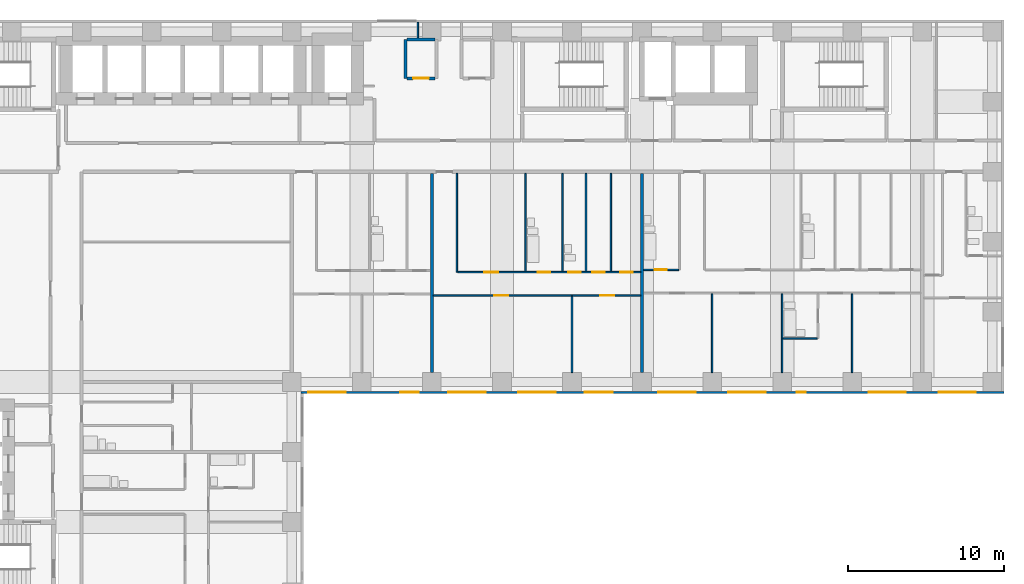
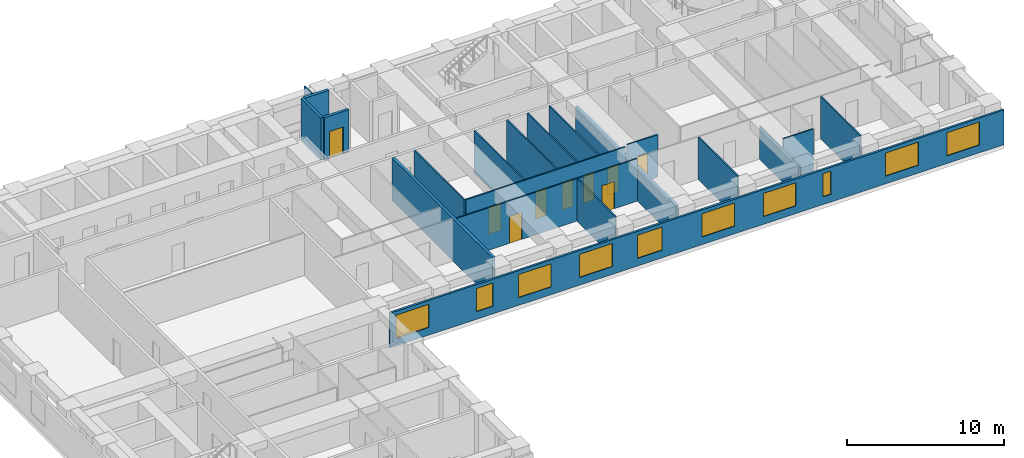
# One storey, part 6 of 11: 20 walls, 10 windows, 9 doors, 19 openings.
"""IFC4 building model written with IfcOpenShell, lengths in metres."""

from ifc_helpers import new_model, si_unit, direction, frame, frame_2d, origin, place, context, subcontext, project, spatial, rectangle, extrude, material, layer, layer_set, type_object, element, fill, save


model = new_model("IFC4")

# Units and contexts
model_context = context("Model", 3, precision=1e-05, world=origin(), true_north=direction((0.0, 1.0)))
body_context = subcontext(model_context, "Body", "Model", "MODEL_VIEW")
ifc_project = project(units=[si_unit("LENGTHUNIT", "METRE"), si_unit("AREAUNIT", "SQUARE_METRE"), si_unit("VOLUMEUNIT", "CUBIC_METRE"), si_unit("PLANEANGLEUNIT", "RADIAN"), si_unit("MASSUNIT", "GRAM", prefix="KILO")], contexts=[model_context])

# Site, building, storey
site_placement = place(None, origin())
site = spatial("IfcSite", under=ifc_project, at=site_placement, CompositionType="ELEMENT")
building_placement = place(site_placement, origin())
building = spatial("IfcBuilding", under=site, at=building_placement, Name="Firuza Court", CompositionType="ELEMENT")
storey_placement = place(building_placement, frame((0.0, 0.0, 83.0)))
storey = spatial("IfcBuildingStorey", under=building, at=storey_placement, Name="L20", CompositionType="ELEMENT", Elevation=83.0)

# Walls
ifc_material_1 = material(Name="Moisture-resistant gypsum board partition")
ifc_layer_1 = layer(ifc_material_1, 0.10009765625)
ifc_layer_set_1 = layer_set([ifc_layer_1], Name="Moisture-resistant gypsum board partition")
wall_type_1 = type_object("IfcWallType", Name="Bathroom partition 100", PredefinedType="PLUMBINGWALL", material=ifc_layer_set_1)
wall_1_placement = place(storey_placement, frame((54.050048828125, 38.800048828125, 0.0), z_axis=(0.0, 0.0, 1.0), x_axis=(1.0, 0.0, 0.0)))
element("IfcWall", 1, at=wall_1_placement, inside=storey, type_object=wall_type_1, Name="Bathroom partition 100 L20", PredefinedType="PLUMBINGWALL", context=body_context, shape_type="SweptSolid", body=[
    extrude(rectangle(XDim=2.199951171875, YDim=0.10009765625, at=frame_2d((1.10009765625, 0.0))), origin(), (0.0, 0.0, 1.0), 3.300048828125),
])
for number, where, z_axis, x_axis, name in (
    (2, (37.5, 43.10009765625, 0.0), (0.0, 0.0, 1.0), (0.0, 1.0, 0.0), "Bathroom partition 100 L20"),
    (3, (39.89990234375, 43.10009765625, 0.0), (0.0, 0.0, 1.0), (0.0, 1.0, 0.0), "Bathroom partition 100 L20"),
    (4, (41.39990234375, 43.10009765625, 0.0), (0.0, 0.0, 1.0), (0.0, 1.0, 0.0), "Bathroom partition 100 L20"),
):
    element("IfcWall", number, at=place(storey_placement, frame(where, z_axis=z_axis, x_axis=x_axis)), inside=storey, type_object=wall_type_1, Name=name, PredefinedType="PLUMBINGWALL", context=body_context, shape_type="SweptSolid", body=[
        extrude(rectangle(XDim=6.2998046875, YDim=0.10009765625, at=frame_2d((3.14990234375, 0.0))), origin(), (0.0, 0.0, 1.0), 3.300048828125),
    ])
ifc_material_2 = material(Name="Timber stud partition, plasterboard both sides", Category="wood")
ifc_layer_2 = layer(ifc_material_2, 0.10009765625)
ifc_layer_set_2 = layer_set([ifc_layer_2], Name="Timber stud partition, plasterboard both sides")
wall_type_2 = type_object("IfcWallType", Name="Partition wall 100", PredefinedType="PARTITIONING", material=ifc_layer_set_2)
wall_2_placement = place(storey_placement, frame((40.5, 36.60009765625, 0.0), z_axis=(0.0, 0.0, 1.0), x_axis=(0.0, 1.0, 0.0)))
element("IfcWall", 5, at=wall_2_placement, inside=storey, type_object=wall_type_2, Name="Partition wall 100 L20", PredefinedType="PARTITIONING", context=body_context, shape_type="SweptSolid", body=[
    extrude(rectangle(XDim=4.89990234375, YDim=0.10009765625, at=frame_2d((2.449951171875, 0.0))), origin(), (0.0, 0.0, 1.0), 3.300048828125),
])
wall_3_placement = place(storey_placement, frame((49.5, 36.60009765625, 0.0), z_axis=(0.0, 0.0, 1.0), x_axis=(0.0, 1.0, 0.0)))
element("IfcWall", 6, at=wall_3_placement, inside=storey, type_object=wall_type_2, Name="Partition wall 100 L20", PredefinedType="PARTITIONING", context=body_context, shape_type="SweptSolid", body=[
    extrude(rectangle(XDim=5.0498046875, YDim=0.10009765625, at=frame_2d((2.52490234375, 0.0))), origin(), (0.0, 0.0, 1.0), 3.300048828125),
])
wall_4_placement = place(storey_placement, frame((54.0, 36.60009765625, 0.0), z_axis=(0.0, 0.0, 1.0), x_axis=(0.0, 1.0, 0.0)))
element("IfcWall", 7, at=wall_4_placement, inside=storey, type_object=wall_type_2, Name="Partition wall 100 L20", PredefinedType="PARTITIONING", context=body_context, shape_type="SweptSolid", body=[
    extrude(rectangle(XDim=5.0498046875, YDim=0.10009765625, at=frame_2d((2.52490234375, 0.0))), origin(), (0.0, 0.0, 1.0), 2.60009765625),
])
wall_5_placement = place(storey_placement, frame((58.5, 36.60009765625, 0.0), z_axis=(0.0, 0.0, 1.0), x_axis=(0.0, 1.0, 0.0)))
element("IfcWall", 8, at=wall_5_placement, inside=storey, type_object=wall_type_2, Name="Partition wall 100 L20", PredefinedType="PARTITIONING", context=body_context, shape_type="SweptSolid", body=[
    extrude(rectangle(XDim=5.0498046875, YDim=0.10009765625, at=frame_2d((2.52490234375, 0.0))), origin(), (0.0, 0.0, 1.0), 3.300048828125),
])

# Wall, openings, doors
wall_6_placement = place(storey_placement, frame((31.60009765625, 41.550048828125, 0.0), z_axis=(0.0, 0.0, 1.0), x_axis=(1.0, 0.0, 0.0)))
wall_6 = element("IfcWall", 9, at=wall_6_placement, inside=storey, type_object=wall_type_2, Name="Partition wall 100 L20", PredefinedType="PARTITIONING", context=body_context, shape_type="SweptSolid", body=[
    extrude(rectangle(XDim=13.2998046875, YDim=0.10009765625, at=frame_2d((6.64990234375, 0.0))), origin(), (0.0, 0.0, 1.0), 3.300048828125),
])
opening_1_placement = place(wall_6_placement, frame((3.89990234375, 0.0, 0.0)))
opening_1 = element("IfcOpeningElement", 10, at=opening_1_placement, cuts=wall_6, Name="Opening D20044", PredefinedType="OPENING", context=body_context, shape_type="SweptSolid", body=[
    extrude(rectangle(XDim=0.89990234375, YDim=2.10009765625, at=frame_2d((0.449951171875, 1.050048828125))), frame((0.0, 0.06201171875, 0.0), z_axis=(0.0, -1.0, 0.0), x_axis=(1.0, 0.0, 0.0)), (0.0, 0.0, 1.0), 0.1240234375),
])
opening_2_placement = place(wall_6_placement, frame((10.699951171875, 0.0, 0.0)))
opening_2 = element("IfcOpeningElement", 11, at=opening_2_placement, cuts=wall_6, Name="Opening D20045", PredefinedType="OPENING", context=body_context, shape_type="SweptSolid", body=[
    extrude(rectangle(XDim=0.89990234375, YDim=2.10009765625, at=frame_2d((0.449951171875, 1.050048828125))), frame((0.0, 0.06201171875, 0.0), z_axis=(0.0, -1.0, 0.0), x_axis=(1.0, 0.0, 0.0)), (0.0, 0.0, 1.0), 0.1240234375),
])
ifc_material_3 = material(Name="Timber door leaf in hardwood frame", Category="wood")
door_type_1 = type_object("IfcDoorType", Name="Room door 900", OperationType="SINGLE_SWING_LEFT", PredefinedType="DOOR", material=ifc_material_3)
door_1_placement = place(opening_1_placement, frame((0.89990234375, 0.0, 0.0), z_axis=(0.0, 0.0, 1.0), x_axis=(-1.0, 0.0, 0.0)))
door_1 = element("IfcDoor", 12, at=door_1_placement, inside=storey, type_object=door_type_1, Name="Living room door", OperationType="SINGLE_SWING_RIGHT", OverallHeight=2.10009765625, OverallWidth=0.89990234375, PredefinedType="DOOR", context=body_context, shape_type="SweptSolid", body=[
    extrude(rectangle(XDim=0.89990234375, YDim=2.10009765625, at=frame_2d((0.449951171875, 1.050048828125))), frame((0.0, 0.02490234375, 0.0), z_axis=(0.0, -1.0, 0.0), x_axis=(1.0, 0.0, 0.0)), (0.0, 0.0, 1.0), 0.050048828125),
])
fill(opening_1, door_1)
door_2_placement = place(opening_2_placement, frame((0.89990234375, 0.0, 0.0), z_axis=(0.0, 0.0, 1.0), x_axis=(-1.0, 0.0, 0.0)))
door_2 = element("IfcDoor", 13, at=door_2_placement, inside=storey, type_object=door_type_1, Name="Bedroom door", OperationType="SINGLE_SWING_RIGHT", OverallHeight=2.10009765625, OverallWidth=0.89990234375, PredefinedType="DOOR", context=body_context, shape_type="SweptSolid", body=[
    extrude(rectangle(XDim=0.89990234375, YDim=2.10009765625, at=frame_2d((0.449951171875, 1.050048828125))), frame((0.0, 0.02490234375, 0.0), z_axis=(0.0, -1.0, 0.0), x_axis=(1.0, 0.0, 0.0)), (0.0, 0.0, 1.0), 0.050048828125),
])
fill(opening_2, door_2)

# Wall
wall_7_placement = place(storey_placement, frame((33.10009765625, 43.050048828125, 0.0), z_axis=(0.0, 0.0, 1.0), x_axis=(0.0, 1.0, 0.0)))
element("IfcWall", 14, at=wall_7_placement, inside=storey, type_object=wall_type_2, Name="Partition wall 100 L20", PredefinedType="PARTITIONING", context=body_context, shape_type="SweptSolid", body=[
    extrude(rectangle(XDim=6.349853515625, YDim=0.10009765625, at=frame_2d((3.1748046875, 0.0))), origin(), (0.0, 0.0, 1.0), 3.300048828125),
])

# Wall, openings, doors
wall_8_placement = place(storey_placement, frame((33.14990234375, 43.050048828125, 0.0), z_axis=(0.0, 0.0, 1.0), x_axis=(1.0, 0.0, 0.0)))
wall_8 = element("IfcWall", 15, at=wall_8_placement, inside=storey, type_object=wall_type_2, Name="Partition wall 100 L20", PredefinedType="PARTITIONING", context=body_context, shape_type="SweptSolid", body=[
    extrude(rectangle(XDim=11.75, YDim=0.10009765625, at=frame_2d((5.875, 0.0))), origin(), (0.0, 0.0, 1.0), 3.300048828125),
])
opening_3_placement = place(wall_8_placement, frame((5.14990234375, 0.0, 0.0)))
opening_3 = element("IfcOpeningElement", 16, at=opening_3_placement, cuts=wall_8, Name="Opening D20053", PredefinedType="OPENING", context=body_context, shape_type="SweptSolid", body=[
    extrude(rectangle(XDim=0.800048828125, YDim=2.10009765625, at=frame_2d((0.39990234375, 1.050048828125))), frame((0.0, 0.06201171875, 0.0), z_axis=(0.0, -1.0, 0.0), x_axis=(1.0, 0.0, 0.0)), (0.0, 0.0, 1.0), 0.1240234375),
])
opening_4_placement = place(wall_8_placement, frame((1.699951171875, 0.0, 0.0)))
opening_4 = element("IfcOpeningElement", 17, at=opening_4_placement, cuts=wall_8, Name="Opening D20054", PredefinedType="OPENING", context=body_context, shape_type="SweptSolid", body=[
    extrude(rectangle(XDim=0.89990234375, YDim=2.10009765625, at=frame_2d((0.449951171875, 1.050048828125))), frame((0.0, 0.06201171875, 0.0), z_axis=(0.0, -1.0, 0.0), x_axis=(1.0, 0.0, 0.0)), (0.0, 0.0, 1.0), 0.1240234375),
])
opening_5_placement = place(wall_8_placement, frame((8.64990234375, 0.0, 0.0)))
opening_5 = element("IfcOpeningElement", 18, at=opening_5_placement, cuts=wall_8, Name="Opening D20055", PredefinedType="OPENING", context=body_context, shape_type="SweptSolid", body=[
    extrude(rectangle(XDim=0.800048828125, YDim=2.10009765625, at=frame_2d((0.39990234375, 1.050048828125))), frame((0.0, 0.06201171875, 0.0), z_axis=(0.0, -1.0, 0.0), x_axis=(1.0, 0.0, 0.0)), (0.0, 0.0, 1.0), 0.1240234375),
])
opening_6_placement = place(wall_8_placement, frame((10.449951171875, 0.0, 0.0)))
opening_6 = element("IfcOpeningElement", 19, at=opening_6_placement, cuts=wall_8, Name="Opening D20056", PredefinedType="OPENING", context=body_context, shape_type="SweptSolid", body=[
    extrude(rectangle(XDim=0.800048828125, YDim=2.10009765625, at=frame_2d((0.39990234375, 1.050048828125))), frame((0.0, 0.06201171875, 0.0), z_axis=(0.0, -1.0, 0.0), x_axis=(1.0, 0.0, 0.0)), (0.0, 0.0, 1.0), 0.1240234375),
])
opening_7_placement = place(wall_8_placement, frame((7.10009765625, 0.0, 0.0)))
opening_7 = element("IfcOpeningElement", 20, at=opening_7_placement, cuts=wall_8, Name="Opening D20057", PredefinedType="OPENING", context=body_context, shape_type="SweptSolid", body=[
    extrude(rectangle(XDim=0.800048828125, YDim=2.10009765625, at=frame_2d((0.39990234375, 1.050048828125))), frame((0.0, 0.06201171875, 0.0), z_axis=(0.0, -1.0, 0.0), x_axis=(1.0, 0.0, 0.0)), (0.0, 0.0, 1.0), 0.1240234375),
])
ifc_material_4 = material(Name="Timber door leaf in hardwood frame", Category="wood")
door_type_2 = type_object("IfcDoorType", Name="Bathroom door 800", OperationType="SINGLE_SWING_LEFT", PredefinedType="DOOR", material=ifc_material_4)
door_3_placement = place(opening_3_placement, origin())
door_3 = element("IfcDoor", 21, at=door_3_placement, inside=storey, type_object=door_type_2, Name="Bathroom door", OperationType="SINGLE_SWING_LEFT", OverallHeight=2.10009765625, OverallWidth=0.800048828125, PredefinedType="DOOR", context=body_context, shape_type="SweptSolid", body=[
    extrude(rectangle(XDim=0.800048828125, YDim=2.10009765625, at=frame_2d((0.39990234375, 1.050048828125))), frame((0.0, 0.02490234375, 0.0), z_axis=(0.0, -1.0, 0.0), x_axis=(1.0, 0.0, 0.0)), (0.0, 0.0, 1.0), 0.050048828125),
])
fill(opening_3, door_3)
door_4_placement = place(opening_7_placement, origin())
door_4 = element("IfcDoor", 22, at=door_4_placement, inside=storey, type_object=door_type_2, Name="Powder room door", OperationType="SINGLE_SWING_LEFT", OverallHeight=2.10009765625, OverallWidth=0.800048828125, PredefinedType="DOOR", context=body_context, shape_type="SweptSolid", body=[
    extrude(rectangle(XDim=0.800048828125, YDim=2.10009765625, at=frame_2d((0.39990234375, 1.050048828125))), frame((0.0, 0.02490234375, 0.0), z_axis=(0.0, -1.0, 0.0), x_axis=(1.0, 0.0, 0.0)), (0.0, 0.0, 1.0), 0.050048828125),
])
fill(opening_7, door_4)
ifc_material_5 = material(Name="Timber door leaf in hardwood frame", Category="wood")
door_type_3 = type_object("IfcDoorType", Name="Room door 800", OperationType="SINGLE_SWING_LEFT", PredefinedType="DOOR", material=ifc_material_5)
door_5_placement = place(opening_5_placement, origin())
door_5 = element("IfcDoor", 23, at=door_5_placement, inside=storey, type_object=door_type_3, Name="Store door", OperationType="SINGLE_SWING_LEFT", OverallHeight=2.10009765625, OverallWidth=0.800048828125, PredefinedType="DOOR", context=body_context, shape_type="SweptSolid", body=[
    extrude(rectangle(XDim=0.800048828125, YDim=2.10009765625, at=frame_2d((0.39990234375, 1.050048828125))), frame((0.0, 0.02490234375, 0.0), z_axis=(0.0, -1.0, 0.0), x_axis=(1.0, 0.0, 0.0)), (0.0, 0.0, 1.0), 0.050048828125),
])
fill(opening_5, door_5)
door_6_placement = place(opening_6_placement, origin())
door_6 = element("IfcDoor", 24, at=door_6_placement, inside=storey, type_object=door_type_3, Name="Utility room door", OperationType="SINGLE_SWING_LEFT", OverallHeight=2.10009765625, OverallWidth=0.800048828125, PredefinedType="DOOR", context=body_context, shape_type="SweptSolid", body=[
    extrude(rectangle(XDim=0.800048828125, YDim=2.10009765625, at=frame_2d((0.39990234375, 1.050048828125))), frame((0.0, 0.02490234375, 0.0), z_axis=(0.0, -1.0, 0.0), x_axis=(1.0, 0.0, 0.0)), (0.0, 0.0, 1.0), 0.050048828125),
])
fill(opening_6, door_6)
door_7_placement = place(opening_4_placement, origin())
door_7 = element("IfcDoor", 25, at=door_7_placement, inside=storey, type_object=door_type_1, Name="Kitchen door", OperationType="SINGLE_SWING_LEFT", OverallHeight=2.10009765625, OverallWidth=0.89990234375, PredefinedType="DOOR", context=body_context, shape_type="SweptSolid", body=[
    extrude(rectangle(XDim=0.89990234375, YDim=2.10009765625, at=frame_2d((0.449951171875, 1.050048828125))), frame((0.0, 0.02490234375, 0.0), z_axis=(0.0, -1.0, 0.0), x_axis=(1.0, 0.0, 0.0)), (0.0, 0.0, 1.0), 0.050048828125),
])
fill(opening_4, door_7)

# Wall
wall_9_placement = place(storey_placement, frame((43.0, 43.10009765625, 0.0), z_axis=(0.0, 0.0, 1.0), x_axis=(0.0, 1.0, 0.0)))
element("IfcWall", 26, at=wall_9_placement, inside=storey, type_object=wall_type_2, Name="Partition wall 100 L20", PredefinedType="PARTITIONING", context=body_context, shape_type="SweptSolid", body=[
    extrude(rectangle(XDim=6.2998046875, YDim=0.10009765625, at=frame_2d((3.14990234375, 0.0))), origin(), (0.0, 0.0, 1.0), 3.300048828125),
])

# Wall, opening, door
wall_10_placement = place(storey_placement, frame((45.10009765625, 43.199951171875, 0.0), z_axis=(0.0, 0.0, 1.0), x_axis=(1.0, 0.0, 0.0)))
wall_10 = element("IfcWall", 27, at=wall_10_placement, inside=storey, type_object=wall_type_2, Name="Partition wall 100 L20", PredefinedType="PARTITIONING", context=body_context, shape_type="SweptSolid", body=[
    extrude(rectangle(XDim=2.25, YDim=0.10009765625, at=frame_2d((1.125, 0.0))), origin(), (0.0, 0.0, 1.0), 3.300048828125),
])
opening_8_placement = place(wall_10_placement, frame((0.699951171875, 0.0, 0.0)))
opening_8 = element("IfcOpeningElement", 28, at=opening_8_placement, cuts=wall_10, Name="Opening D20061", PredefinedType="OPENING", context=body_context, shape_type="SweptSolid", body=[
    extrude(rectangle(XDim=0.800048828125, YDim=2.10009765625, at=frame_2d((0.39990234375, 1.050048828125))), frame((0.0, 0.06201171875, 0.0), z_axis=(0.0, -1.0, 0.0), x_axis=(1.0, 0.0, 0.0)), (0.0, 0.0, 1.0), 0.1240234375),
])
door_8_placement = place(opening_8_placement, origin())
door_8 = element("IfcDoor", 29, at=door_8_placement, inside=storey, type_object=door_type_2, Name="Bathroom door", OperationType="SINGLE_SWING_LEFT", OverallHeight=2.10009765625, OverallWidth=0.800048828125, PredefinedType="DOOR", context=body_context, shape_type="SweptSolid", body=[
    extrude(rectangle(XDim=0.800048828125, YDim=2.10009765625, at=frame_2d((0.39990234375, 1.050048828125))), frame((0.0, 0.02490234375, 0.0), z_axis=(0.0, -1.0, 0.0), x_axis=(1.0, 0.0, 0.0)), (0.0, 0.0, 1.0), 0.050048828125),
])
fill(opening_8, door_8)

# Walls
wall_11_placement = place(storey_placement, frame((30.60009765625, 58.10009765625, 0.0), z_axis=(0.0, 0.0, 1.0), x_axis=(0.0, 1.0, 0.0)))
element("IfcWall", 30, at=wall_11_placement, inside=storey, type_object=wall_type_2, Name="Partition wall 100 L20", PredefinedType="PARTITIONING", context=body_context, shape_type="SweptSolid", body=[
    extrude(rectangle(XDim=1.0, YDim=0.10009765625, at=frame_2d((0.5, 0.0))), origin(), (0.0, 0.0, 1.0), 3.300048828125),
])
ifc_material_6 = material(Name="Blockwork, plastered both sides", Category="masonry")
ifc_layer_3 = layer(ifc_material_6, 0.199951171875)
ifc_layer_set_3 = layer_set([ifc_layer_3], Name="Blockwork, plastered both sides")
wall_type_3 = type_object("IfcWallType", Name="Party wall 200", PredefinedType="PARTITIONING", material=ifc_layer_set_3)
wall_12_placement = place(storey_placement, frame((31.5, 36.60009765625, 0.0), z_axis=(0.0, 0.0, 1.0), x_axis=(0.0, 1.0, 0.0)))
element("IfcWall", 31, at=wall_12_placement, inside=storey, type_object=wall_type_3, Name="Party wall 200 L20", PredefinedType="PARTITIONING", context=body_context, shape_type="SweptSolid", body=[
    extrude(rectangle(XDim=12.7998046875, YDim=0.199951171875, at=frame_2d((6.39990234375, 0.0))), origin(), (0.0, 0.0, 1.0), 3.300048828125),
])
wall_13_placement = place(storey_placement, frame((45.0, 36.60009765625, 0.0), z_axis=(0.0, 0.0, 1.0), x_axis=(0.0, 1.0, 0.0)))
element("IfcWall", 32, at=wall_13_placement, inside=storey, type_object=wall_type_3, Name="Party wall 200 L20", PredefinedType="PARTITIONING", context=body_context, shape_type="SweptSolid", body=[
    extrude(rectangle(XDim=12.7998046875, YDim=0.199951171875, at=frame_2d((6.39990234375, 0.0))), origin(), (0.0, 0.0, 1.0), 2.60009765625),
])
ifc_material_7 = material(Name="Blockwork, fire-rated", Category="masonry")
ifc_layer_4 = layer(ifc_material_7, 0.199951171875)
ifc_layer_set_4 = layer_set([ifc_layer_4], Name="Blockwork, fire-rated")
wall_type_4 = type_object("IfcWallType", Name="Plant room wall 200", PredefinedType="PARTITIONING", material=ifc_layer_set_4)
wall_14_placement = place(storey_placement, frame((29.800048828125, 55.5, 0.0), z_axis=(0.0, 0.0, 1.0), x_axis=(0.0, 1.0, 0.0)))
element("IfcWall", 33, at=wall_14_placement, inside=storey, type_object=wall_type_4, Name="Plant room wall 200 L20", PredefinedType="PARTITIONING", context=body_context, shape_type="SweptSolid", body=[
    extrude(rectangle(XDim=2.5, YDim=0.199951171875, at=frame_2d((1.25, 0.0))), origin(), (0.0, 0.0, 1.0), 3.300048828125),
])

# Wall, opening, door
wall_15_placement = place(storey_placement, frame((29.89990234375, 55.5, 0.0), z_axis=(0.0, 0.0, 1.0), x_axis=(1.0, 0.0, 0.0)))
wall_15 = element("IfcWall", 34, at=wall_15_placement, inside=storey, type_object=wall_type_4, Name="Plant room wall 200 L20", PredefinedType="PARTITIONING", context=body_context, shape_type="SweptSolid", body=[
    extrude(rectangle(XDim=1.800048828125, YDim=0.199951171875, at=frame_2d((0.89990234375, 0.0))), origin(), (0.0, 0.0, 1.0), 3.300048828125),
])
opening_9_placement = place(wall_15_placement, frame((0.39990234375, 0.0, 0.0)))
opening_9 = element("IfcOpeningElement", 35, at=opening_9_placement, cuts=wall_15, Name="Opening D20078", PredefinedType="OPENING", context=body_context, shape_type="SweptSolid", body=[
    extrude(rectangle(XDim=1.0, YDim=2.10009765625, at=frame_2d((0.5, 1.050048828125))), frame((0.0, 0.11181640625, 0.0), z_axis=(0.0, -1.0, 0.0), x_axis=(1.0, 0.0, 0.0)), (0.0, 0.0, 1.0), 0.223876953125),
])
ifc_material_8 = material(Name="Timber door leaf in hardwood frame", Category="wood")
door_type_4 = type_object("IfcDoorType", Name="Riser door 1000", OperationType="SINGLE_SWING_LEFT", PredefinedType="DOOR", material=ifc_material_8)
door_9_placement = place(opening_9_placement, origin())
door_9 = element("IfcDoor", 36, at=door_9_placement, inside=storey, type_object=door_type_4, Name="Electrical riser door", OperationType="SINGLE_SWING_LEFT", OverallHeight=2.10009765625, OverallWidth=1.0, PredefinedType="DOOR", context=body_context, shape_type="SweptSolid", body=[
    extrude(rectangle(XDim=1.0, YDim=2.10009765625, at=frame_2d((0.5, 1.050048828125))), frame((0.0, 0.02490234375, 0.0), z_axis=(0.0, -1.0, 0.0), x_axis=(1.0, 0.0, 0.0)), (0.0, 0.0, 1.0), 0.050048828125),
])
fill(opening_9, door_9)

# Wall
wall_16_placement = place(storey_placement, frame((29.89990234375, 58.0, 0.0), z_axis=(0.0, 0.0, 1.0), x_axis=(1.0, 0.0, 0.0)))
element("IfcWall", 37, at=wall_16_placement, inside=storey, type_object=wall_type_4, Name="Plant room wall 200 L20", PredefinedType="PARTITIONING", context=body_context, shape_type="SweptSolid", body=[
    extrude(rectangle(XDim=1.800048828125, YDim=0.199951171875, at=frame_2d((0.89990234375, 0.0))), origin(), (0.0, 0.0, 1.0), 3.300048828125),
])

# Wall, openings, windows
ifc_material_9 = material(Name="Ceramic tile", Category="ceramic")
ifc_layer_5 = layer(ifc_material_9, 0.02001953125)
ifc_material_10 = material(Name="Mineral wool insulation", Category="insulation")
ifc_layer_6 = layer(ifc_material_10, 0.050048828125)
ifc_material_11 = material(Name="Concrete C40/50 precast", Category="concrete")
ifc_layer_7 = layer(ifc_material_11, 0.080078125)
ifc_layer_set_5 = layer_set([ifc_layer_5, ifc_layer_6, ifc_layer_7], Name="Concrete C40/50 precast")
wall_type_5 = type_object("IfcWallType", Name="Precast cladding wall with turquoise TILE PANEL face 150", PredefinedType="STANDARD", material=ifc_layer_set_5)
wall_17_placement = place(storey_placement, frame((23.10009765625, 35.324951171875, 0.0), z_axis=(0.0, 0.0, 1.0), x_axis=(1.0, 0.0, 0.0)))
wall_17 = element("IfcWall", 38, at=wall_17_placement, inside=storey, type_object=wall_type_5, Name="Facade wall L20 S", PredefinedType="STANDARD", context=body_context, shape_type="SweptSolid", body=[
    extrude(rectangle(XDim=45.14990234375, YDim=0.14990234375, at=frame_2d((22.574951171875, 0.0))), origin(), (0.0, 0.0, 1.0), 2.699951171875),
])
opening_10_placement = place(wall_17_placement, frame((0.449951171875, 0.0, 0.60009765625)))
opening_10 = element("IfcOpeningElement", 39, at=opening_10_placement, cuts=wall_17, Name="Opening W1", PredefinedType="OPENING", context=body_context, shape_type="SweptSolid", body=[
    extrude(rectangle(XDim=2.39990234375, YDim=1.800048828125, at=frame_2d((1.199951171875, 0.89990234375))), frame((0.0, 0.0869140625, 0.0), z_axis=(0.0, -1.0, 0.0), x_axis=(1.0, 0.0, 0.0)), (0.0, 0.0, 1.0), 0.173828125),
])
opening_11_placement = place(wall_17_placement, frame((6.366455078125, 0.0, 0.60009765625)))
opening_11 = element("IfcOpeningElement", 40, at=opening_11_placement, cuts=wall_17, Name="Opening W8", PredefinedType="OPENING", context=body_context, shape_type="SweptSolid", body=[
    extrude(rectangle(XDim=1.199951171875, YDim=1.800048828125, at=frame_2d((0.60009765625, 0.89990234375))), frame((0.0, 0.0869140625, 0.0), z_axis=(0.0, -1.0, 0.0), x_axis=(1.0, 0.0, 0.0)), (0.0, 0.0, 1.0), 0.173828125),
])
opening_12_placement = place(wall_17_placement, frame((9.449951171875, 0.0, 0.60009765625)))
opening_12 = element("IfcOpeningElement", 41, at=opening_12_placement, cuts=wall_17, Name="Opening W1", PredefinedType="OPENING", context=body_context, shape_type="SweptSolid", body=[
    extrude(rectangle(XDim=2.39990234375, YDim=1.800048828125, at=frame_2d((1.199951171875, 0.89990234375))), frame((0.0, 0.0869140625, 0.0), z_axis=(0.0, -1.0, 0.0), x_axis=(1.0, 0.0, 0.0)), (0.0, 0.0, 1.0), 0.173828125),
])
opening_13_placement = place(wall_17_placement, frame((13.949951171875, 0.0, 0.60009765625)))
opening_13 = element("IfcOpeningElement", 42, at=opening_13_placement, cuts=wall_17, Name="Opening W1", PredefinedType="OPENING", context=body_context, shape_type="SweptSolid", body=[
    extrude(rectangle(XDim=2.39990234375, YDim=1.800048828125, at=frame_2d((1.199951171875, 0.89990234375))), frame((0.0, 0.0869140625, 0.0), z_axis=(0.0, -1.0, 0.0), x_axis=(1.0, 0.0, 0.0)), (0.0, 0.0, 1.0), 0.173828125),
])
opening_14_placement = place(wall_17_placement, frame((18.209716796875, 0.0, 0.60009765625)))
opening_14 = element("IfcOpeningElement", 43, at=opening_14_placement, cuts=wall_17, Name="Opening W7", PredefinedType="OPENING", context=body_context, shape_type="SweptSolid", body=[
    extrude(rectangle(XDim=1.800048828125, YDim=1.800048828125, at=frame_2d((0.89990234375, 0.89990234375))), frame((0.0, 0.0869140625, 0.0), z_axis=(0.0, -1.0, 0.0), x_axis=(1.0, 0.0, 0.0)), (0.0, 0.0, 1.0), 0.173828125),
])
opening_15_placement = place(wall_17_placement, frame((22.949951171875, 0.0, 0.60009765625)))
opening_15 = element("IfcOpeningElement", 44, at=opening_15_placement, cuts=wall_17, Name="Opening W1", PredefinedType="OPENING", context=body_context, shape_type="SweptSolid", body=[
    extrude(rectangle(XDim=2.39990234375, YDim=1.800048828125, at=frame_2d((1.199951171875, 0.89990234375))), frame((0.0, 0.0869140625, 0.0), z_axis=(0.0, -1.0, 0.0), x_axis=(1.0, 0.0, 0.0)), (0.0, 0.0, 1.0), 0.173828125),
])
opening_16_placement = place(wall_17_placement, frame((27.449951171875, 0.0, 0.60009765625)))
opening_16 = element("IfcOpeningElement", 45, at=opening_16_placement, cuts=wall_17, Name="Opening W1", PredefinedType="OPENING", context=body_context, shape_type="SweptSolid", body=[
    extrude(rectangle(XDim=2.39990234375, YDim=1.800048828125, at=frame_2d((1.199951171875, 0.89990234375))), frame((0.0, 0.0869140625, 0.0), z_axis=(0.0, -1.0, 0.0), x_axis=(1.0, 0.0, 0.0)), (0.0, 0.0, 1.0), 0.173828125),
])
opening_17_placement = place(wall_17_placement, frame((31.83056640625, 0.0, 0.60009765625)))
opening_17 = element("IfcOpeningElement", 46, at=opening_17_placement, cuts=wall_17, Name="Opening W4", PredefinedType="OPENING", context=body_context, shape_type="SweptSolid", body=[
    extrude(rectangle(XDim=0.60009765625, YDim=1.800048828125, at=frame_2d((0.300048828125, 0.89990234375))), frame((0.0, 0.0869140625, 0.0), z_axis=(0.0, -1.0, 0.0), x_axis=(1.0, 0.0, 0.0)), (0.0, 0.0, 1.0), 0.173828125),
])
opening_18_placement = place(wall_17_placement, frame((36.449951171875, 0.0, 0.60009765625)))
opening_18 = element("IfcOpeningElement", 47, at=opening_18_placement, cuts=wall_17, Name="Opening W1", PredefinedType="OPENING", context=body_context, shape_type="SweptSolid", body=[
    extrude(rectangle(XDim=2.39990234375, YDim=1.800048828125, at=frame_2d((1.199951171875, 0.89990234375))), frame((0.0, 0.0869140625, 0.0), z_axis=(0.0, -1.0, 0.0), x_axis=(1.0, 0.0, 0.0)), (0.0, 0.0, 1.0), 0.173828125),
])
opening_19_placement = place(wall_17_placement, frame((40.949951171875, 0.0, 0.60009765625)))
opening_19 = element("IfcOpeningElement", 48, at=opening_19_placement, cuts=wall_17, Name="Opening W1", PredefinedType="OPENING", context=body_context, shape_type="SweptSolid", body=[
    extrude(rectangle(XDim=2.39990234375, YDim=1.800048828125, at=frame_2d((1.199951171875, 0.89990234375))), frame((0.0, 0.0869140625, 0.0), z_axis=(0.0, -1.0, 0.0), x_axis=(1.0, 0.0, 0.0)), (0.0, 0.0, 1.0), 0.173828125),
])
ifc_material_12 = material(Name="Aluminium frame, triple clear glazing", Category="aluminium")
window_type_1 = type_object("IfcWindowType", Name="Window W1 2400 x 1800", PartitioningType="SINGLE_PANEL", PredefinedType="WINDOW", material=ifc_material_12)
window_1_placement = place(opening_10_placement, origin())
window_1 = element("IfcWindow", 49, at=window_1_placement, inside=storey, type_object=window_type_1, Name="Window L20", OverallHeight=1.800048828125, OverallWidth=2.39990234375, PartitioningType="SINGLE_PANEL", PredefinedType="WINDOW", context=body_context, shape_type="SweptSolid", body=[
    extrude(rectangle(XDim=2.39990234375, YDim=1.800048828125, at=frame_2d((1.199951171875, 0.89990234375))), frame((0.0, 0.030029296875, 0.0), z_axis=(0.0, -1.0, 0.0), x_axis=(1.0, 0.0, 0.0)), (0.0, 0.0, 1.0), 0.06005859375),
])
fill(opening_10, window_1)
window_2_placement = place(opening_12_placement, origin())
window_2 = element("IfcWindow", 50, at=window_2_placement, inside=storey, type_object=window_type_1, Name="Window L20", OverallHeight=1.800048828125, OverallWidth=2.39990234375, PartitioningType="SINGLE_PANEL", PredefinedType="WINDOW", context=body_context, shape_type="SweptSolid", body=[
    extrude(rectangle(XDim=2.39990234375, YDim=1.800048828125, at=frame_2d((1.199951171875, 0.89990234375))), frame((0.0, 0.030029296875, 0.0), z_axis=(0.0, -1.0, 0.0), x_axis=(1.0, 0.0, 0.0)), (0.0, 0.0, 1.0), 0.06005859375),
])
fill(opening_12, window_2)
window_3_placement = place(opening_13_placement, origin())
window_3 = element("IfcWindow", 51, at=window_3_placement, inside=storey, type_object=window_type_1, Name="Window L20", OverallHeight=1.800048828125, OverallWidth=2.39990234375, PartitioningType="SINGLE_PANEL", PredefinedType="WINDOW", context=body_context, shape_type="SweptSolid", body=[
    extrude(rectangle(XDim=2.39990234375, YDim=1.800048828125, at=frame_2d((1.199951171875, 0.89990234375))), frame((0.0, 0.030029296875, 0.0), z_axis=(0.0, -1.0, 0.0), x_axis=(1.0, 0.0, 0.0)), (0.0, 0.0, 1.0), 0.06005859375),
])
fill(opening_13, window_3)
window_4_placement = place(opening_15_placement, origin())
window_4 = element("IfcWindow", 52, at=window_4_placement, inside=storey, type_object=window_type_1, Name="Window L20", OverallHeight=1.800048828125, OverallWidth=2.39990234375, PartitioningType="SINGLE_PANEL", PredefinedType="WINDOW", context=body_context, shape_type="SweptSolid", body=[
    extrude(rectangle(XDim=2.39990234375, YDim=1.800048828125, at=frame_2d((1.199951171875, 0.89990234375))), frame((0.0, 0.030029296875, 0.0), z_axis=(0.0, -1.0, 0.0), x_axis=(1.0, 0.0, 0.0)), (0.0, 0.0, 1.0), 0.06005859375),
])
fill(opening_15, window_4)
window_5_placement = place(opening_16_placement, origin())
window_5 = element("IfcWindow", 53, at=window_5_placement, inside=storey, type_object=window_type_1, Name="Window L20", OverallHeight=1.800048828125, OverallWidth=2.39990234375, PartitioningType="SINGLE_PANEL", PredefinedType="WINDOW", context=body_context, shape_type="SweptSolid", body=[
    extrude(rectangle(XDim=2.39990234375, YDim=1.800048828125, at=frame_2d((1.199951171875, 0.89990234375))), frame((0.0, 0.030029296875, 0.0), z_axis=(0.0, -1.0, 0.0), x_axis=(1.0, 0.0, 0.0)), (0.0, 0.0, 1.0), 0.06005859375),
])
fill(opening_16, window_5)
window_6_placement = place(opening_18_placement, origin())
window_6 = element("IfcWindow", 54, at=window_6_placement, inside=storey, type_object=window_type_1, Name="Window L20", OverallHeight=1.800048828125, OverallWidth=2.39990234375, PartitioningType="SINGLE_PANEL", PredefinedType="WINDOW", context=body_context, shape_type="SweptSolid", body=[
    extrude(rectangle(XDim=2.39990234375, YDim=1.800048828125, at=frame_2d((1.199951171875, 0.89990234375))), frame((0.0, 0.030029296875, 0.0), z_axis=(0.0, -1.0, 0.0), x_axis=(1.0, 0.0, 0.0)), (0.0, 0.0, 1.0), 0.06005859375),
])
fill(opening_18, window_6)
window_7_placement = place(opening_19_placement, origin())
window_7 = element("IfcWindow", 55, at=window_7_placement, inside=storey, type_object=window_type_1, Name="Window L20", OverallHeight=1.800048828125, OverallWidth=2.39990234375, PartitioningType="SINGLE_PANEL", PredefinedType="WINDOW", context=body_context, shape_type="SweptSolid", body=[
    extrude(rectangle(XDim=2.39990234375, YDim=1.800048828125, at=frame_2d((1.199951171875, 0.89990234375))), frame((0.0, 0.030029296875, 0.0), z_axis=(0.0, -1.0, 0.0), x_axis=(1.0, 0.0, 0.0)), (0.0, 0.0, 1.0), 0.06005859375),
])
fill(opening_19, window_7)
ifc_material_13 = material(Name="Aluminium frame, triple clear glazing", Category="aluminium")
window_type_2 = type_object("IfcWindowType", Name="Window W4 600 x 1800", PartitioningType="SINGLE_PANEL", PredefinedType="WINDOW", material=ifc_material_13)
window_8_placement = place(opening_17_placement, origin())
window_8 = element("IfcWindow", 56, at=window_8_placement, inside=storey, type_object=window_type_2, Name="Window L20", OverallHeight=1.800048828125, OverallWidth=0.60009765625, PartitioningType="SINGLE_PANEL", PredefinedType="WINDOW", context=body_context, shape_type="SweptSolid", body=[
    extrude(rectangle(XDim=0.60009765625, YDim=1.800048828125, at=frame_2d((0.300048828125, 0.89990234375))), frame((0.0, 0.030029296875, 0.0), z_axis=(0.0, -1.0, 0.0), x_axis=(1.0, 0.0, 0.0)), (0.0, 0.0, 1.0), 0.06005859375),
])
fill(opening_17, window_8)
ifc_material_14 = material(Name="Aluminium frame, triple clear glazing", Category="aluminium")
window_type_3 = type_object("IfcWindowType", Name="Window W7 1800 x 1800", PartitioningType="SINGLE_PANEL", PredefinedType="WINDOW", material=ifc_material_14)
window_9_placement = place(opening_14_placement, origin())
window_9 = element("IfcWindow", 57, at=window_9_placement, inside=storey, type_object=window_type_3, Name="Window L20", OverallHeight=1.800048828125, OverallWidth=1.800048828125, PartitioningType="SINGLE_PANEL", PredefinedType="WINDOW", context=body_context, shape_type="SweptSolid", body=[
    extrude(rectangle(XDim=1.800048828125, YDim=1.800048828125, at=frame_2d((0.89990234375, 0.89990234375))), frame((0.0, 0.030029296875, 0.0), z_axis=(0.0, -1.0, 0.0), x_axis=(1.0, 0.0, 0.0)), (0.0, 0.0, 1.0), 0.06005859375),
])
fill(opening_14, window_9)
ifc_material_15 = material(Name="Aluminium frame, triple clear glazing", Category="aluminium")
window_type_4 = type_object("IfcWindowType", Name="Window W8 1200 x 1800", PartitioningType="SINGLE_PANEL", PredefinedType="WINDOW", material=ifc_material_15)
window_10_placement = place(opening_11_placement, origin())
window_10 = element("IfcWindow", 58, at=window_10_placement, inside=storey, type_object=window_type_4, Name="Window L20", OverallHeight=1.800048828125, OverallWidth=1.199951171875, PartitioningType="SINGLE_PANEL", PredefinedType="WINDOW", context=body_context, shape_type="SweptSolid", body=[
    extrude(rectangle(XDim=1.199951171875, YDim=1.800048828125, at=frame_2d((0.60009765625, 0.89990234375))), frame((0.0, 0.030029296875, 0.0), z_axis=(0.0, -1.0, 0.0), x_axis=(1.0, 0.0, 0.0)), (0.0, 0.0, 1.0), 0.06005859375),
])
fill(opening_11, window_10)

save(model, "model.ifc")
